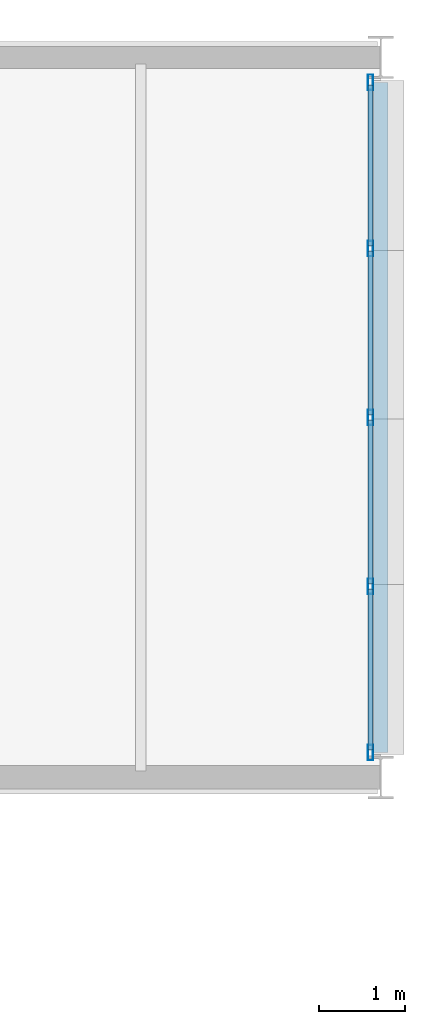
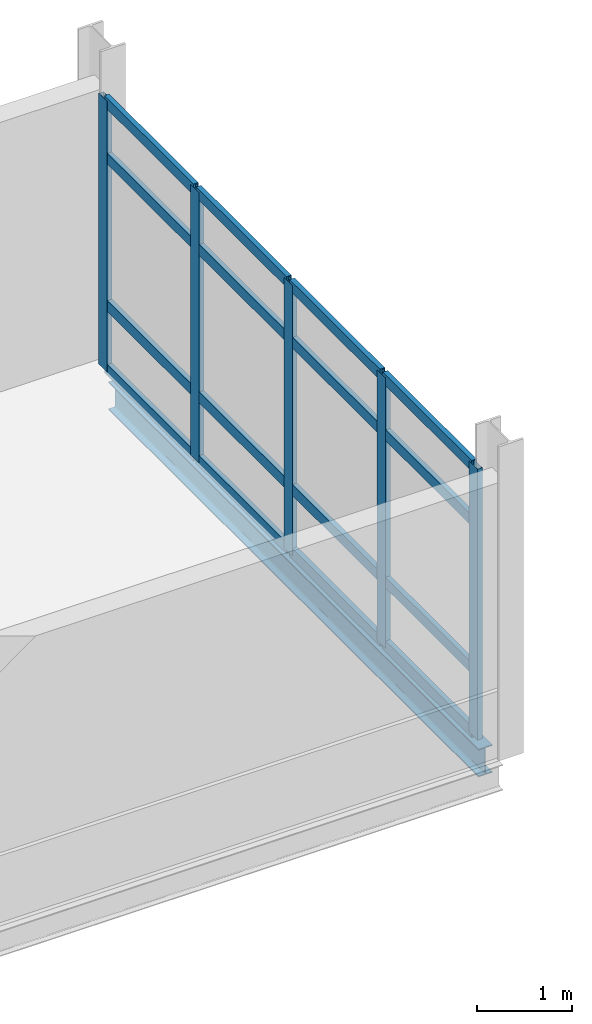
# One storey, part 107 of 151: 21 members, 1 beam, 1 element without a shape of its own.
"""IFC4 building model written with IfcOpenShell, lengths in metres."""

from ifc_helpers import new_model, si_unit, direction, frame, origin, origin_2d, place, context, subcontext, project, spatial, hollow_rectangle, i_section, extrude, material, material_profile, profile_set, type_object, element, aggregate, save


model = new_model("IFC4")

# Units and contexts
model_context = context("Model", 3, precision=1e-05, world=origin(), true_north=direction((0.0, 1.0)))
body_context = subcontext(model_context, "Body", "Model", "MODEL_VIEW")
ifc_project = project(units=[si_unit("LENGTHUNIT", "METRE"), si_unit("AREAUNIT", "SQUARE_METRE"), si_unit("VOLUMEUNIT", "CUBIC_METRE"), si_unit("PLANEANGLEUNIT", "RADIAN"), si_unit("MASSUNIT", "GRAM", prefix="KILO")], contexts=[model_context])

# Site, building, storey
site_placement = place(None, origin())
site = spatial("IfcSite", under=ifc_project, at=site_placement, CompositionType="ELEMENT")
building_placement = place(site_placement, origin())
building = spatial("IfcBuilding", under=site, at=building_placement, Name="Mersafa Astral City Hall", CompositionType="ELEMENT")
storey_placement = place(building_placement, frame((0.0, 0.0, 9.89990234375)))
storey = spatial("IfcBuildingStorey", under=building, at=storey_placement, Name="L02", CompositionType="ELEMENT", Elevation=9.89990234375)

# Curtain wall, members
ifc_material_1 = material(Name="Anodised bronze aluminium framing", Category="aluminium")
curtain_wall_type = type_object("IfcCurtainWallType", Name="ENV-CW-2", PredefinedType="USERDEFINED", material=ifc_material_1)
curtain_wall_placement = place(storey_placement, origin())
curtain_wall = element("IfcCurtainWall", 1, at=curtain_wall_placement, inside=storey, type_object=curtain_wall_type, Name="L02 Unitised solar curtain wall 127", ObjectType="UNITISED CURTAIN WALL", PredefinedType="USERDEFINED")
ifc_material_profile_1 = material_profile(ifc_material_1, hollow_rectangle(XDim=0.06005859375, YDim=0.179931640625, WallThickness=0.00390625, at=origin_2d()), Name="RHS 60x180x4")
ifc_profile_set_1 = profile_set([ifc_material_profile_1], Name="Anodised bronze aluminium framing")
member_type_1 = type_object("IfcMemberType", Name="ENV-CW-MUL-1", PredefinedType="MULLION", material=ifc_profile_set_1)
member_1_placement = place(storey_placement, frame((184.679931640625, 117.89208984375, -0.001953125), z_axis=(0.0, 0.0, 1.0), x_axis=(-1.0, 0.0, 0.0)))
member_1 = element("IfcMember", 2, at=member_1_placement, type_object=member_type_1, Name="CW-2 mullion 1", PredefinedType="MULLION", context=body_context, shape_type="SweptSolid", body=[
    extrude(hollow_rectangle(XDim=0.06005859375, YDim=0.179931640625, WallThickness=0.00390625, at=origin_2d()), origin(), (0.0, 0.0, 1.0), 3.489013671875),
])
member_2_placement = place(storey_placement, frame((184.679931640625, 119.8310546875, -0.001953125), z_axis=(0.0, 0.0, 1.0), x_axis=(-1.0, 0.0, 0.0)))
member_2 = element("IfcMember", 3, at=member_2_placement, type_object=member_type_1, Name="CW-2 mullion 2", PredefinedType="MULLION", context=body_context, shape_type="SweptSolid", body=[
    extrude(hollow_rectangle(XDim=0.06005859375, YDim=0.179931640625, WallThickness=0.00390625, at=origin_2d()), origin(), (0.0, 0.0, 1.0), 3.489013671875),
])
member_3_placement = place(storey_placement, frame((184.679931640625, 121.800048828125, -0.001953125), z_axis=(0.0, 0.0, 1.0), x_axis=(-1.0, 0.0, 0.0)))
member_3 = element("IfcMember", 4, at=member_3_placement, type_object=member_type_1, Name="CW-2 mullion 3", PredefinedType="MULLION", context=body_context, shape_type="SweptSolid", body=[
    extrude(hollow_rectangle(XDim=0.06005859375, YDim=0.179931640625, WallThickness=0.00390625, at=origin_2d()), origin(), (0.0, 0.0, 1.0), 3.489013671875),
])
member_4_placement = place(storey_placement, frame((184.679931640625, 123.76904296875, -0.001953125), z_axis=(0.0, 0.0, 1.0), x_axis=(-1.0, 0.0, 0.0)))
member_4 = element("IfcMember", 5, at=member_4_placement, type_object=member_type_1, Name="CW-2 mullion 4", PredefinedType="MULLION", context=body_context, shape_type="SweptSolid", body=[
    extrude(hollow_rectangle(XDim=0.06005859375, YDim=0.179931640625, WallThickness=0.00390625, at=origin_2d()), origin(), (0.0, 0.0, 1.0), 3.489013671875),
])
member_5_placement = place(storey_placement, frame((184.679931640625, 125.7080078125, -0.001953125), z_axis=(0.0, 0.0, 1.0), x_axis=(-1.0, 0.0, 0.0)))
member_5 = element("IfcMember", 6, at=member_5_placement, type_object=member_type_1, Name="CW-2 mullion 5", PredefinedType="MULLION", context=body_context, shape_type="SweptSolid", body=[
    extrude(hollow_rectangle(XDim=0.06005859375, YDim=0.179931640625, WallThickness=0.00390625, at=origin_2d()), origin(), (0.0, 0.0, 1.0), 3.489013671875),
])
ifc_material_profile_2 = material_profile(ifc_material_1, hollow_rectangle(XDim=0.06005859375, YDim=0.139892578125, WallThickness=0.00390625, at=origin_2d()), Name="RHS 60x140x4")
ifc_profile_set_2 = profile_set([ifc_material_profile_2], Name="Anodised bronze aluminium framing")
member_type_2 = type_object("IfcMemberType", Name="ENV-CW-TRN-1", PredefinedType="USERDEFINED", material=ifc_profile_set_2)
member_6_placement = place(storey_placement, frame((184.679931640625, 117.922119140625, 0.028076171875), z_axis=(0.0, 1.0, 0.0), x_axis=(-1.0, 0.0, 0.0)))
member_6 = element("IfcMember", 7, at=member_6_placement, type_object=member_type_2, Name="CW-2 transom 1.1", ObjectType="TRANSOM", PredefinedType="USERDEFINED", context=body_context, shape_type="SweptSolid", body=[
    extrude(hollow_rectangle(XDim=0.06005859375, YDim=0.139892578125, WallThickness=0.00390625, at=origin_2d()), origin(), (0.0, 0.0, 1.0), 1.87890625),
])
member_7_placement = place(storey_placement, frame((184.679931640625, 117.922119140625, 0.85009765625), z_axis=(0.0, 1.0, 0.0), x_axis=(-1.0, 0.0, 0.0)))
member_7 = element("IfcMember", 8, at=member_7_placement, type_object=member_type_2, Name="CW-2 transom 1.2", ObjectType="TRANSOM", PredefinedType="USERDEFINED", context=body_context, shape_type="SweptSolid", body=[
    extrude(hollow_rectangle(XDim=0.06005859375, YDim=0.139892578125, WallThickness=0.00390625, at=origin_2d()), origin(), (0.0, 0.0, 1.0), 1.87890625),
])
member_8_placement = place(storey_placement, frame((184.679931640625, 117.922119140625, 2.75), z_axis=(0.0, 1.0, 0.0), x_axis=(-1.0, 0.0, 0.0)))
member_8 = element("IfcMember", 9, at=member_8_placement, type_object=member_type_2, Name="CW-2 transom 1.3", ObjectType="TRANSOM", PredefinedType="USERDEFINED", context=body_context, shape_type="SweptSolid", body=[
    extrude(hollow_rectangle(XDim=0.06005859375, YDim=0.139892578125, WallThickness=0.00390625, at=origin_2d()), origin(), (0.0, 0.0, 1.0), 1.87890625),
])
member_9_placement = place(storey_placement, frame((184.679931640625, 117.922119140625, 3.45703125), z_axis=(0.0, 1.0, 0.0), x_axis=(-1.0, 0.0, 0.0)))
member_9 = element("IfcMember", 10, at=member_9_placement, type_object=member_type_2, Name="CW-2 transom 1.4", ObjectType="TRANSOM", PredefinedType="USERDEFINED", context=body_context, shape_type="SweptSolid", body=[
    extrude(hollow_rectangle(XDim=0.06005859375, YDim=0.139892578125, WallThickness=0.00390625, at=origin_2d()), origin(), (0.0, 0.0, 1.0), 1.87890625),
])
member_10_placement = place(storey_placement, frame((184.679931640625, 119.861083984375, 0.028076171875), z_axis=(0.0, 1.0, 0.0), x_axis=(-1.0, 0.0, 0.0)))
member_10 = element("IfcMember", 11, at=member_10_placement, type_object=member_type_2, Name="CW-2 transom 2.1", ObjectType="TRANSOM", PredefinedType="USERDEFINED", context=body_context, shape_type="SweptSolid", body=[
    extrude(hollow_rectangle(XDim=0.06005859375, YDim=0.139892578125, WallThickness=0.00390625, at=origin_2d()), origin(), (0.0, 0.0, 1.0), 1.908935546875),
])
member_11_placement = place(storey_placement, frame((184.679931640625, 119.861083984375, 0.85009765625), z_axis=(0.0, 1.0, 0.0), x_axis=(-1.0, 0.0, 0.0)))
member_11 = element("IfcMember", 12, at=member_11_placement, type_object=member_type_2, Name="CW-2 transom 2.2", ObjectType="TRANSOM", PredefinedType="USERDEFINED", context=body_context, shape_type="SweptSolid", body=[
    extrude(hollow_rectangle(XDim=0.06005859375, YDim=0.139892578125, WallThickness=0.00390625, at=origin_2d()), origin(), (0.0, 0.0, 1.0), 1.908935546875),
])
member_12_placement = place(storey_placement, frame((184.679931640625, 119.861083984375, 2.75), z_axis=(0.0, 1.0, 0.0), x_axis=(-1.0, 0.0, 0.0)))
member_12 = element("IfcMember", 13, at=member_12_placement, type_object=member_type_2, Name="CW-2 transom 2.3", ObjectType="TRANSOM", PredefinedType="USERDEFINED", context=body_context, shape_type="SweptSolid", body=[
    extrude(hollow_rectangle(XDim=0.06005859375, YDim=0.139892578125, WallThickness=0.00390625, at=origin_2d()), origin(), (0.0, 0.0, 1.0), 1.908935546875),
])
member_13_placement = place(storey_placement, frame((184.679931640625, 119.861083984375, 3.45703125), z_axis=(0.0, 1.0, 0.0), x_axis=(-1.0, 0.0, 0.0)))
member_13 = element("IfcMember", 14, at=member_13_placement, type_object=member_type_2, Name="CW-2 transom 2.4", ObjectType="TRANSOM", PredefinedType="USERDEFINED", context=body_context, shape_type="SweptSolid", body=[
    extrude(hollow_rectangle(XDim=0.06005859375, YDim=0.139892578125, WallThickness=0.00390625, at=origin_2d()), origin(), (0.0, 0.0, 1.0), 1.908935546875),
])
member_14_placement = place(storey_placement, frame((184.679931640625, 121.830078125, 0.028076171875), z_axis=(0.0, 1.0, 0.0), x_axis=(-1.0, 0.0, 0.0)))
member_14 = element("IfcMember", 15, at=member_14_placement, type_object=member_type_2, Name="CW-2 transom 3.1", ObjectType="TRANSOM", PredefinedType="USERDEFINED", context=body_context, shape_type="SweptSolid", body=[
    extrude(hollow_rectangle(XDim=0.06005859375, YDim=0.139892578125, WallThickness=0.00390625, at=origin_2d()), origin(), (0.0, 0.0, 1.0), 1.908935546875),
])
member_15_placement = place(storey_placement, frame((184.679931640625, 121.830078125, 0.85009765625), z_axis=(0.0, 1.0, 0.0), x_axis=(-1.0, 0.0, 0.0)))
member_15 = element("IfcMember", 16, at=member_15_placement, type_object=member_type_2, Name="CW-2 transom 3.2", ObjectType="TRANSOM", PredefinedType="USERDEFINED", context=body_context, shape_type="SweptSolid", body=[
    extrude(hollow_rectangle(XDim=0.06005859375, YDim=0.139892578125, WallThickness=0.00390625, at=origin_2d()), origin(), (0.0, 0.0, 1.0), 1.908935546875),
])
member_16_placement = place(storey_placement, frame((184.679931640625, 121.830078125, 2.75), z_axis=(0.0, 1.0, 0.0), x_axis=(-1.0, 0.0, 0.0)))
member_16 = element("IfcMember", 17, at=member_16_placement, type_object=member_type_2, Name="CW-2 transom 3.3", ObjectType="TRANSOM", PredefinedType="USERDEFINED", context=body_context, shape_type="SweptSolid", body=[
    extrude(hollow_rectangle(XDim=0.06005859375, YDim=0.139892578125, WallThickness=0.00390625, at=origin_2d()), origin(), (0.0, 0.0, 1.0), 1.908935546875),
])
member_17_placement = place(storey_placement, frame((184.679931640625, 121.830078125, 3.45703125), z_axis=(0.0, 1.0, 0.0), x_axis=(-1.0, 0.0, 0.0)))
member_17 = element("IfcMember", 18, at=member_17_placement, type_object=member_type_2, Name="CW-2 transom 3.4", ObjectType="TRANSOM", PredefinedType="USERDEFINED", context=body_context, shape_type="SweptSolid", body=[
    extrude(hollow_rectangle(XDim=0.06005859375, YDim=0.139892578125, WallThickness=0.00390625, at=origin_2d()), origin(), (0.0, 0.0, 1.0), 1.908935546875),
])
member_18_placement = place(storey_placement, frame((184.679931640625, 123.799072265625, 0.028076171875), z_axis=(0.0, 1.0, 0.0), x_axis=(-1.0, 0.0, 0.0)))
member_18 = element("IfcMember", 19, at=member_18_placement, type_object=member_type_2, Name="CW-2 transom 4.1", ObjectType="TRANSOM", PredefinedType="USERDEFINED", context=body_context, shape_type="SweptSolid", body=[
    extrude(hollow_rectangle(XDim=0.06005859375, YDim=0.139892578125, WallThickness=0.00390625, at=origin_2d()), origin(), (0.0, 0.0, 1.0), 1.87890625),
])
member_19_placement = place(storey_placement, frame((184.679931640625, 123.799072265625, 0.85009765625), z_axis=(0.0, 1.0, 0.0), x_axis=(-1.0, 0.0, 0.0)))
member_19 = element("IfcMember", 20, at=member_19_placement, type_object=member_type_2, Name="CW-2 transom 4.2", ObjectType="TRANSOM", PredefinedType="USERDEFINED", context=body_context, shape_type="SweptSolid", body=[
    extrude(hollow_rectangle(XDim=0.06005859375, YDim=0.139892578125, WallThickness=0.00390625, at=origin_2d()), origin(), (0.0, 0.0, 1.0), 1.87890625),
])
member_20_placement = place(storey_placement, frame((184.679931640625, 123.799072265625, 2.75), z_axis=(0.0, 1.0, 0.0), x_axis=(-1.0, 0.0, 0.0)))
member_20 = element("IfcMember", 21, at=member_20_placement, type_object=member_type_2, Name="CW-2 transom 4.3", ObjectType="TRANSOM", PredefinedType="USERDEFINED", context=body_context, shape_type="SweptSolid", body=[
    extrude(hollow_rectangle(XDim=0.06005859375, YDim=0.139892578125, WallThickness=0.00390625, at=origin_2d()), origin(), (0.0, 0.0, 1.0), 1.87890625),
])
member_21_placement = place(storey_placement, frame((184.679931640625, 123.799072265625, 3.45703125), z_axis=(0.0, 1.0, 0.0), x_axis=(-1.0, 0.0, 0.0)))
member_21 = element("IfcMember", 22, at=member_21_placement, type_object=member_type_2, Name="CW-2 transom 4.4", ObjectType="TRANSOM", PredefinedType="USERDEFINED", context=body_context, shape_type="SweptSolid", body=[
    extrude(hollow_rectangle(XDim=0.06005859375, YDim=0.139892578125, WallThickness=0.00390625, at=origin_2d()), origin(), (0.0, 0.0, 1.0), 1.87890625),
])
aggregate(curtain_wall, [member_1, member_2, member_3, member_4, member_5, member_6, member_7, member_8, member_9, member_10, member_11, member_12, member_13, member_14, member_15, member_16, member_17, member_18, member_19, member_20, member_21])

# Beam
ifc_material_2 = material(Name="Steel S355", Category="steel")
ifc_material_profile_3 = material_profile(ifc_material_2, i_section(OverallWidth=0.169921875, OverallDepth=0.360107421875, WebThickness=0.008056640625, FlangeThickness=0.0126953125, FilletRadius=0.01806640625, at=origin_2d()), Name="IPE 360")
ifc_profile_set_3 = profile_set([ifc_material_profile_3], Name="Steel S355")
beam_type = type_object("IfcBeamType", Name="STR-BM-SPANDREL-IPE360", PredefinedType="SPANDREL", material=ifc_profile_set_3)
beam_placement = place(storey_placement, frame((184.800048828125, 117.89501953125, -0.3798828125), z_axis=(0.0, 1.0, 0.0), x_axis=(-1.0, 0.0, 0.0)))
element("IfcBeam", 23, at=beam_placement, inside=storey, type_object=beam_type, Name="L02 Primary girder Y 22-14", PredefinedType="SPANDREL", context=body_context, shape_type="SweptSolid", body=[
    extrude(i_section(OverallWidth=0.169921875, OverallDepth=0.360107421875, WebThickness=0.008056640625, FlangeThickness=0.0126953125, FilletRadius=0.01806640625, at=origin_2d()), origin(), (0.0, 0.0, 1.0), 7.81005859375),
])

save(model, "model.ifc")
